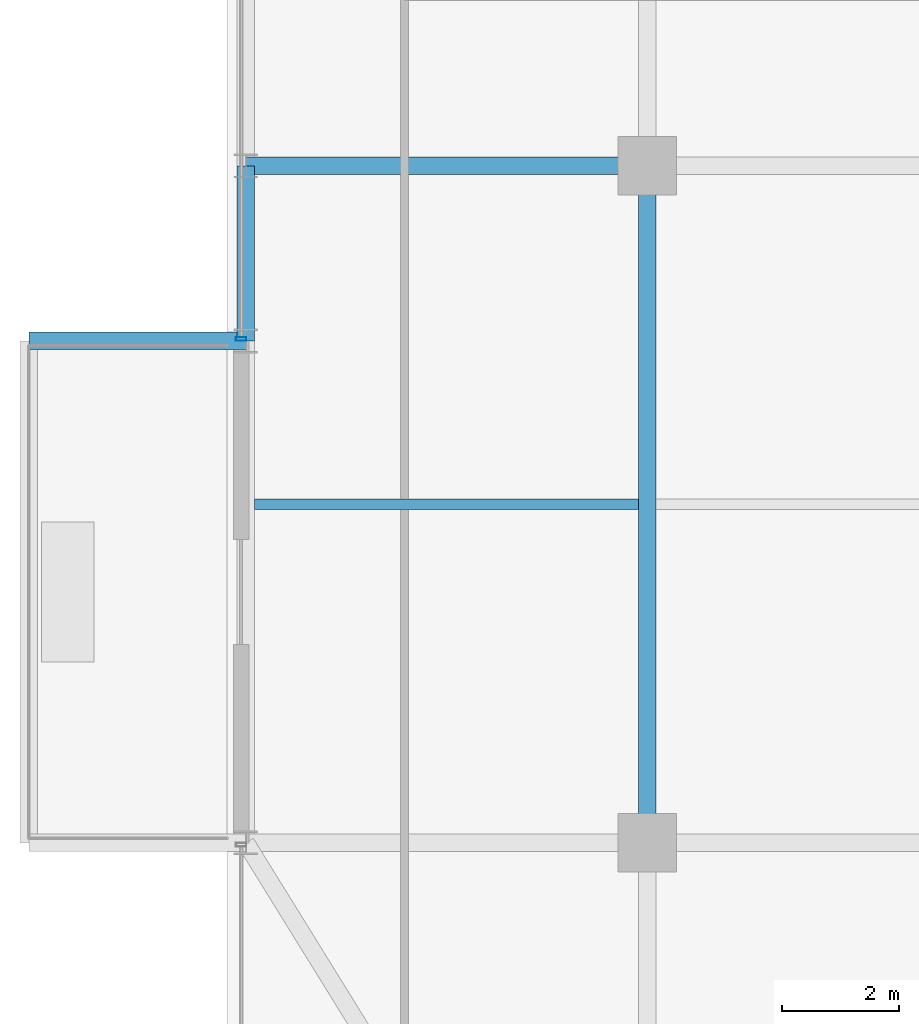
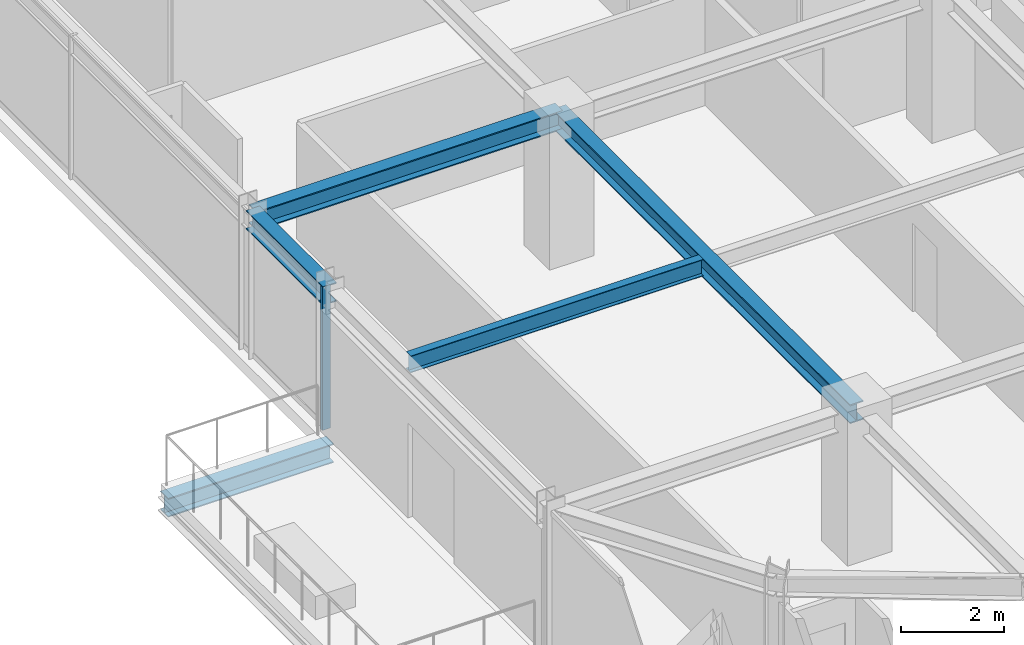
# One storey, part 8 of 35: 5 beams, 1 member, 1 element without a shape of its own.
"""IFC4 building model written with IfcOpenShell, lengths in metres."""

from ifc_helpers import new_model, si_unit, direction, frame, origin, origin_2d, place, context, subcontext, project, spatial, hollow_rectangle, i_section, extrude, source, transform, mapped, material, material_profile, profile_set, type_object, element, aggregate, save


model = new_model("IFC4")

# Units and contexts
model_context = context("Model", 3, precision=1e-05, world=origin(), true_north=direction((0.0, 1.0)))
body_context = subcontext(model_context, "Body", "Model", "MODEL_VIEW")
ifc_project = project(units=[si_unit("LENGTHUNIT", "METRE"), si_unit("AREAUNIT", "SQUARE_METRE"), si_unit("VOLUMEUNIT", "CUBIC_METRE"), si_unit("PLANEANGLEUNIT", "RADIAN"), si_unit("MASSUNIT", "GRAM", prefix="KILO")], contexts=[model_context])

# Site, building, storey
site_placement = place(None, origin())
site = spatial("IfcSite", under=ifc_project, at=site_placement, CompositionType="ELEMENT")
building_placement = place(site_placement, origin())
building = spatial("IfcBuilding", under=site, at=building_placement, Name="Nahalor Promenade Grand Hotel", CompositionType="ELEMENT")
storey_placement = place(building_placement, frame((0.0, 0.0, 216.0)))
storey = spatial("IfcBuildingStorey", under=building, at=storey_placement, Name="L55", CompositionType="ELEMENT", Elevation=216.0)

# Beams
ifc_material_1 = material(Name="Steel S355JR", Category="steel")
ifc_material_profile_1 = material_profile(ifc_material_1, i_section(OverallWidth=0.3, OverallDepth=0.45, WebThickness=0.014, FlangeThickness=0.026, at=origin_2d()), Name="HEB 450")
ifc_profile_set_1 = profile_set([ifc_material_profile_1], Name="Steel S355JR")
beam_type_1 = type_object("IfcBeamType", Name="Beam-Outrigger-HEB450", PredefinedType="BEAM", material=ifc_profile_set_1)
shared_shape_1 = source(origin(), body_context, "Body", "SweptSolid", [
    extrude(i_section(OverallWidth=0.3, OverallDepth=0.45, WebThickness=0.014, FlangeThickness=0.026, at=origin_2d()), origin(), (0.0, 0.0, 1.0), 3.72021484375),
])
beam_1_placement = place(storey_placement, frame((-27.60009765625, -8.39990234375, -0.5048828125), z_axis=(1.0, 0.0, 0.0), x_axis=(0.0, 1.0, 0.0)))
element("IfcBeam", 1, at=beam_1_placement, inside=storey, type_object=beam_type_1, Name="BM-L55-BC-02-2", PredefinedType="BEAM", context=body_context, shape_type="MappedRepresentation", body=[
    mapped(shared_shape_1, transform((0.0, 0.0, 0.0), scale=1.0)),
])
ifc_material_profile_2 = material_profile(ifc_material_1, i_section(OverallWidth=0.3, OverallDepth=0.45, WebThickness=0.014, FlangeThickness=0.026, at=origin_2d()), Name="HEB 450")
ifc_profile_set_2 = profile_set([ifc_material_profile_2], Name="Steel S355JR")
beam_type_2 = type_object("IfcBeamType", Name="Beam-Spandrel-HEB450", PredefinedType="SPANDREL", material=ifc_profile_set_2)
shared_shape_2 = source(origin(), body_context, "Body", "SweptSolid", [
    extrude(i_section(OverallWidth=0.3, OverallDepth=0.45, WebThickness=0.014, FlangeThickness=0.026, at=origin_2d()), origin(), (0.0, 0.0, 1.0), 3.0),
])
beam_2_placement = place(storey_placement, frame((-23.8798828125, -8.39990234375, 3.18505859375), z_axis=(0.0, 1.0, 0.0), x_axis=(-1.0, 0.0, 0.0)))
element("IfcBeam", 2, at=beam_2_placement, inside=storey, type_object=beam_type_2, Name="BM-L55-SP-W-1", PredefinedType="SPANDREL", context=body_context, shape_type="MappedRepresentation", body=[
    mapped(shared_shape_2, transform((0.0, 0.0, 0.0), scale=1.0)),
])
ifc_material_profile_3 = material_profile(ifc_material_1, i_section(OverallWidth=0.3, OverallDepth=0.45, WebThickness=0.014, FlangeThickness=0.026, at=origin_2d()), Name="HEB 450")
ifc_profile_set_3 = profile_set([ifc_material_profile_3], Name="Steel S355JR")
beam_type_3 = type_object("IfcBeamType", Name="Beam-Girder-HEB450", PredefinedType="BEAM", material=ifc_profile_set_3)
shared_shape_3 = source(origin(), body_context, "Body", "SweptSolid", [
    extrude(i_section(OverallWidth=0.3, OverallDepth=0.45, WebThickness=0.014, FlangeThickness=0.026, at=origin_2d()), origin(), (0.0, 0.0, 1.0), 6.8798828125),
])
beam_3_placement = place(storey_placement, frame((-23.8798828125, -5.39990234375, 3.18505859375), z_axis=(1.0, 0.0, 0.0), x_axis=(0.0, 1.0, 0.0)))
element("IfcBeam", 3, at=beam_3_placement, inside=storey, type_object=beam_type_3, Name="BM-L55-GX-1-0", PredefinedType="BEAM", context=body_context, shape_type="MappedRepresentation", body=[
    mapped(shared_shape_3, transform((0.0, 0.0, 0.0), scale=1.0)),
])
shared_shape_4 = source(origin(), body_context, "Body", "SweptSolid", [
    extrude(i_section(OverallWidth=0.3, OverallDepth=0.45, WebThickness=0.014, FlangeThickness=0.026, at=origin_2d()), origin(), (0.0, 0.0, 1.0), 11.60009765625),
])
beam_4_placement = place(storey_placement, frame((-17.0, -17.0, 3.18505859375), z_axis=(0.0, 1.0, 0.0), x_axis=(-1.0, 0.0, 0.0)))
element("IfcBeam", 4, at=beam_4_placement, inside=storey, type_object=beam_type_3, Name="BM-L55-GY-0-1", PredefinedType="BEAM", context=body_context, shape_type="MappedRepresentation", body=[
    mapped(shared_shape_4, transform((0.0, 0.0, 0.0), scale=1.0)),
])
ifc_material_profile_4 = material_profile(ifc_material_1, i_section(OverallWidth=0.18, OverallDepth=0.4, WebThickness=0.0086, FlangeThickness=0.0135, at=origin_2d()), Name="IPE 400")
ifc_profile_set_4 = profile_set([ifc_material_profile_4], Name="Steel S355JR")
beam_type_4 = type_object("IfcBeamType", Name="Beam-Joist-IPE400", PredefinedType="JOIST", material=ifc_profile_set_4)
shared_shape_5 = source(origin(), body_context, "Body", "SweptSolid", [
    extrude(i_section(OverallWidth=0.18, OverallDepth=0.4, WebThickness=0.0086, FlangeThickness=0.0135, at=origin_2d()), origin(), (0.0, 0.0, 1.0), 6.580078125),
])
beam_5_placement = place(storey_placement, frame((-23.72998046875, -11.199951171875, 3.2099609375), z_axis=(1.0, 0.0, 0.0), x_axis=(0.0, 1.0, 0.0)))
element("IfcBeam", 5, at=beam_5_placement, inside=storey, type_object=beam_type_4, Name="BM-L55-JSW-0-0", PredefinedType="JOIST", context=body_context, shape_type="MappedRepresentation", body=[
    mapped(shared_shape_5, transform((0.0, 0.0, 0.0), scale=1.0)),
])

# Curtain wall, member
ifc_material_2 = material(Name="Anodised Bronze Aluminium EN AW-6063 T6", Category="aluminium")
curtain_wall_type = type_object("IfcCurtainWallType", Name="CW2 Typical Hotel Flush Bronze Unitised Curtain Wall", PredefinedType="USERDEFINED", material=ifc_material_2)
curtain_wall_placement = place(storey_placement, origin())
curtain_wall = element("IfcCurtainWall", 6, at=curtain_wall_placement, inside=storey, type_object=curtain_wall_type, Name="L55 Curtain Wall CW-L55-W-3", ObjectType="UNITISED_CURTAIN_WALL", PredefinedType="USERDEFINED")
ifc_material_profile_5 = material_profile(ifc_material_2, hollow_rectangle(XDim=0.065, YDim=0.18, WallThickness=0.004, at=origin_2d()), Name="CWM 65x180x4")
ifc_profile_set_5 = profile_set([ifc_material_profile_5], Name="Anodised Bronze Aluminium EN AW-6063 T6")
member_type = type_object("IfcMemberType", Name="CWM2 Typical Bronze Mullion 65x180", PredefinedType="MULLION", material=ifc_profile_set_5)
shared_shape_6 = source(origin(), body_context, "Body", "SweptSolid", [
    extrude(hollow_rectangle(XDim=0.065, YDim=0.18, WallThickness=0.004, at=origin_2d()), origin(), (0.0, 0.0, 1.0), 3.409912109375),
])
member_placement = place(storey_placement, frame((-23.9599609375, -8.367431640625, 0.0), z_axis=(0.0, 0.0, 1.0), x_axis=(0.0, 1.0, 0.0)))
member = element("IfcMember", 7, at=member_placement, type_object=member_type, Name="CW-L55-W-3 Mullion 0", PredefinedType="MULLION", context=body_context, shape_type="MappedRepresentation", body=[
    mapped(shared_shape_6, transform((0.0, 0.0, 0.0), scale=1.0)),
])
aggregate(curtain_wall, [member])

save(model, "model.ifc")
